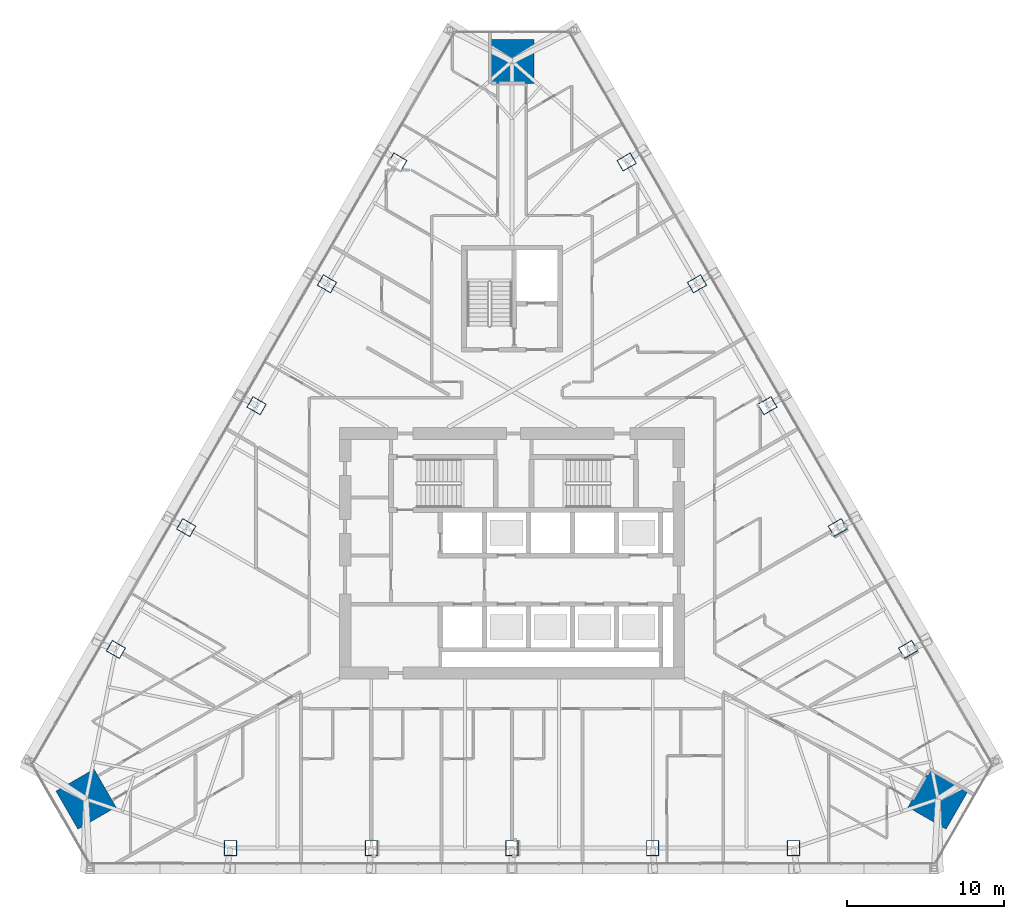
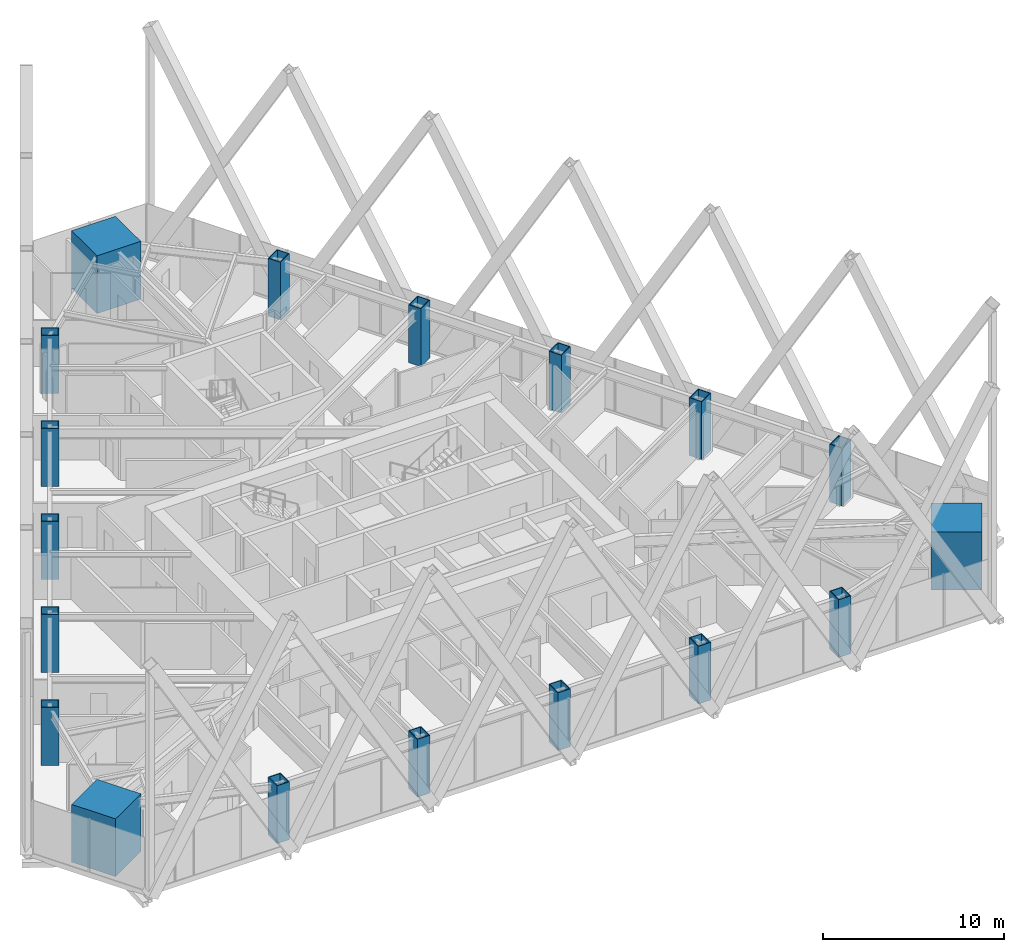
# One storey, part 1 of 24: 18 columns.
"""IFC4 building model written with IfcOpenShell, lengths in metres."""

from ifc_helpers import new_model, si_unit, direction, frame, origin, origin_2d, place, context, subcontext, project, spatial, rectangle, hollow_rectangle, extrude, material, material_profile, profile_set, type_object, element, save


model = new_model("IFC4")

# Units and contexts
model_context = context("Model", 3, precision=1e-05, world=origin(), true_north=direction((0.0, 1.0)))
body_context = subcontext(model_context, "Body", "Model", "MODEL_VIEW")
ifc_project = project(units=[si_unit("LENGTHUNIT", "METRE"), si_unit("AREAUNIT", "SQUARE_METRE"), si_unit("VOLUMEUNIT", "CUBIC_METRE"), si_unit("PLANEANGLEUNIT", "RADIAN"), si_unit("MASSUNIT", "GRAM", prefix="KILO")], contexts=[model_context])

# Site, building, storey
site_placement = place(None, origin())
site = spatial("IfcSite", under=ifc_project, at=site_placement, CompositionType="ELEMENT")
building_placement = place(site_placement, origin())
building = spatial("IfcBuilding", under=site, at=building_placement, Name="Firuza Gate Tower and Library", CompositionType="ELEMENT")
storey_placement = place(building_placement, frame((0.0, 0.0, 171.39990234375)))
storey = spatial("IfcBuildingStorey", under=building, at=storey_placement, Name="L39", CompositionType="ELEMENT", Elevation=171.39990234375)

# Columns
ifc_material_1 = material(Name="Steel S355", Category="steel")
ifc_material_profile_1 = material_profile(ifc_material_1, hollow_rectangle(XDim=0.800048828125, YDim=1.0, WallThickness=0.050048828125, at=origin_2d()))
ifc_profile_set_1 = profile_set([ifc_material_profile_1], Name="Steel S355")
column_type_1 = type_object("IfcColumnType", Name="BU1000x800x50 Composite box column", PredefinedType="COLUMN", material=ifc_profile_set_1)
for number, where, z_axis, x_axis, name in (
    (1, (57.076171875, 56.220458984375, -0.000244140625), (0.0, 0.0, 1.0), (1.0, 0.0, 0.0), "Column S1 L39"),
    (2, (66.0380859375, 56.220458984375, -0.000244140625), (0.0, 0.0, 1.0), (1.0, 0.0, 0.0), "Column S2 L39"),
    (3, (75.0, 56.220458984375, -0.000244140625), (0.0, 0.0, 1.0), (1.0, 0.0, 0.0), "Column S3 L39"),
    (4, (83.9619140625, 56.220458984375, -0.000244140625), (0.0, 0.0, 1.0), (1.0, 0.0, 0.0), "Column S4 L39"),
    (5, (92.923828125, 56.220458984375, -0.000244140625), (0.0, 0.0, 1.0), (1.0, 0.0, 0.0), "Column S5 L39"),
    (6, (100.225341796875, 68.8671875, -0.000244140625), (0.0, 0.0, 1.0), (-0.5, 0.866025403784, 0.0), "Column E1 L39"),
    (7, (95.744384765625, 76.62841796875, -0.000244140625), (0.0, 0.0, 1.0), (-0.5, 0.866025403784, 0.0), "Column E2 L39"),
    (8, (91.263427734375, 84.3896484375, -0.000244140625), (0.0, 0.0, 1.0), (-0.5, 0.866025403784, 0.0), "Column E3 L39"),
    (9, (86.782470703125, 92.15087890625, -0.000244140625), (0.0, 0.0, 1.0), (-0.5, 0.866025403784, 0.0), "Column E4 L39"),
    (10, (82.301513671875, 99.912353515625, -0.000244140625), (0.0, 0.0, 1.0), (-0.5, 0.866025403784, 0.0), "Column E5 L39"),
    (11, (67.698486328125, 99.912353515625, -0.000244140625), (0.0, 0.0, 1.0), (-0.5, -0.866025403784, 0.0), "Column W1 L39"),
    (12, (63.217529296875, 92.15087890625, -0.000244140625), (0.0, 0.0, 1.0), (-0.5, -0.866025403784, 0.0), "Column W2 L39"),
    (13, (58.736572265625, 84.3896484375, -0.000244140625), (0.0, 0.0, 1.0), (-0.5, -0.866025403784, 0.0), "Column W3 L39"),
    (14, (54.255615234375, 76.62841796875, -0.000244140625), (0.0, 0.0, 1.0), (-0.5, -0.866025403784, 0.0), "Column W4 L39"),
    (15, (49.774658203125, 68.8671875, -0.000244140625), (0.0, 0.0, 1.0), (-0.5, -0.866025403784, 0.0), "Column W5 L39"),
):
    element("IfcColumn", number, at=place(storey_placement, frame(where, z_axis=z_axis, x_axis=x_axis)), inside=storey, type_object=column_type_1, Name=name, PredefinedType="COLUMN", context=body_context, shape_type="SweptSolid", body=[
        extrude(hollow_rectangle(XDim=0.800048828125, YDim=1.0, WallThickness=0.050048828125, at=origin_2d()), origin(), (0.0, 0.0, 1.0), 3.900390625),
    ])
ifc_material_2 = material(Name="Concrete C80/95", Category="concrete")
ifc_material_profile_2 = material_profile(ifc_material_2, rectangle(XDim=2.800048828125, YDim=2.800048828125, at=origin_2d()))
ifc_profile_set_2 = profile_set([ifc_material_profile_2], Name="Concrete C80/95")
column_type_2 = type_object("IfcColumnType", Name="Mega column 2800x2800 C80/95", PredefinedType="COLUMN", material=ifc_profile_set_2)
for number, where, z_axis, x_axis, name in (
    (16, (102.126953125, 59.338134765625, 0.0), (0.0, 0.0, 1.0), (0.5, 0.866025403784, 0.0), "Mega column SE L39"),
    (17, (75.0, 106.323486328125, 0.0), (0.0, 0.0, 1.0), (-1.0, 0.0, 0.0), "Mega column N L39"),
    (18, (47.873046875, 59.338134765625, 0.0), (0.0, 0.0, 1.0), (0.5, -0.866025403784, 0.0), "Mega column SW L39"),
):
    element("IfcColumn", number, at=place(storey_placement, frame(where, z_axis=z_axis, x_axis=x_axis)), inside=storey, type_object=column_type_2, Name=name, PredefinedType="COLUMN", context=body_context, shape_type="SweptSolid", body=[
        extrude(rectangle(XDim=2.800048828125, YDim=2.800048828125, at=origin_2d()), origin(), (0.0, 0.0, 1.0), 3.900146484375),
    ])

save(model, "model.ifc")
